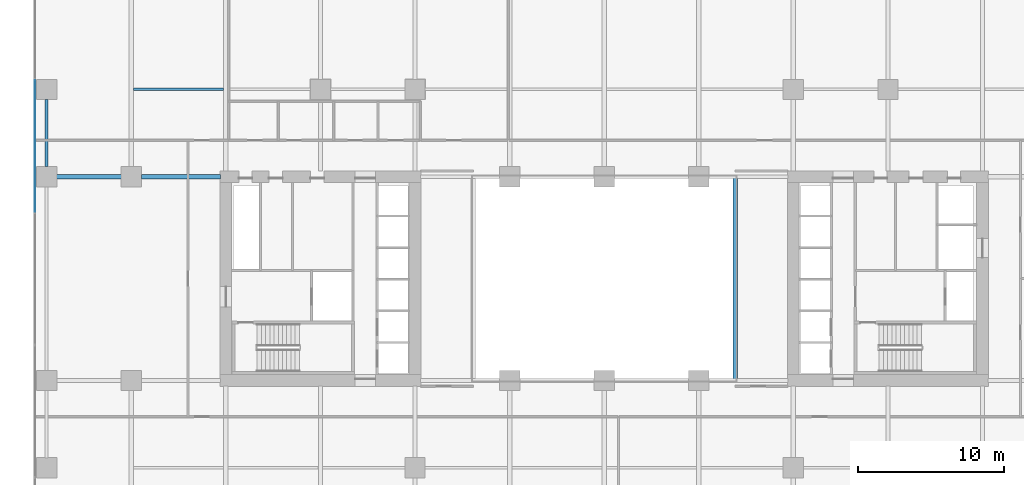
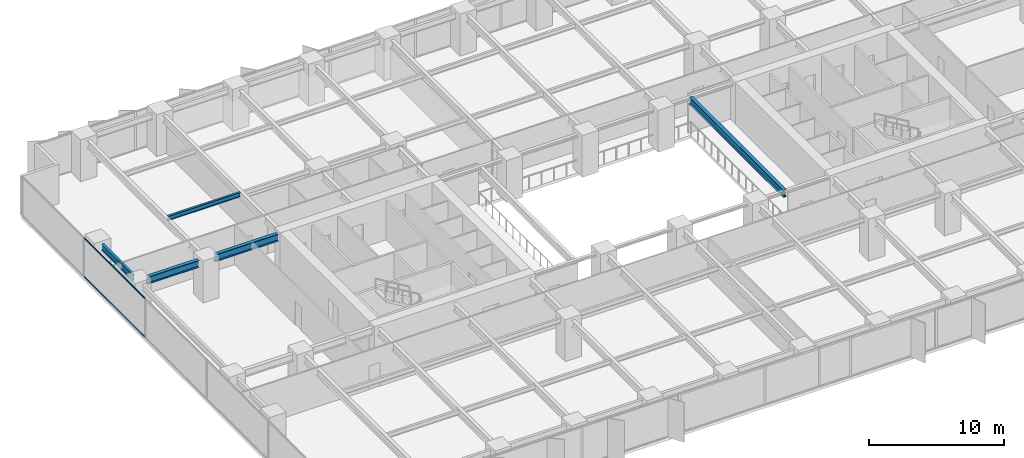
# One storey, part 6 of 20: 5 beams, 2 members, 1 element without a shape of its own.
"""IFC4 building model written with IfcOpenShell, lengths in metres."""

from ifc_helpers import new_model, si_unit, direction, frame, origin, origin_2d, place, context, subcontext, project, spatial, rectangle, i_section, extrude, material, layer, layer_set, material_profile, profile_set, type_object, element, aggregate, save


model = new_model("IFC4")

# Units and contexts
model_context = context("Model", 3, precision=1e-05, world=origin(), true_north=direction((0.0, 1.0)))
body_context = subcontext(model_context, "Body", "Model", "MODEL_VIEW")
ifc_project = project(units=[si_unit("LENGTHUNIT", "METRE"), si_unit("AREAUNIT", "SQUARE_METRE"), si_unit("VOLUMEUNIT", "CUBIC_METRE"), si_unit("PLANEANGLEUNIT", "RADIAN"), si_unit("MASSUNIT", "GRAM", prefix="KILO")], contexts=[model_context])

# Site, building, storey
site_placement = place(None, origin())
site = spatial("IfcSite", under=ifc_project, at=site_placement, CompositionType="ELEMENT")
building_placement = place(site_placement, origin())
building = spatial("IfcBuilding", under=site, at=building_placement, Name="Putna Gate Headquarters", CompositionType="ELEMENT")
storey_placement = place(building_placement, frame((0.0, 0.0, 27.800048828125)))
storey = spatial("IfcBuildingStorey", under=building, at=storey_placement, Name="L05", CompositionType="ELEMENT", Elevation=27.800048828125)

# Beams
ifc_material_1 = material(Name="Steel S355J2", Category="steel")
ifc_material_profile_1 = material_profile(ifc_material_1, i_section(OverallWidth=0.300048828125, OverallDepth=0.64990234375, WebThickness=0.01611328125, FlangeThickness=0.031005859375, at=origin_2d()), Name="Steel S355J2")
ifc_profile_set_1 = profile_set([ifc_material_profile_1], Name="Steel S355J2")
beam_type_1 = type_object("IfcBeamType", Name="BM-GIRD-Z1-HEB650", PredefinedType="USERDEFINED", material=ifc_profile_set_1)
beam_1_placement = place(storey_placement, frame((1.367919921875, 33.0, 3.224853515625), z_axis=(1.0, 0.0, 0.0), x_axis=(0.0, 1.0, 0.0)))
element("IfcBeam", 1, at=beam_1_placement, inside=storey, type_object=beam_type_1, Name="L05 West Wing Girder Y33-1", ObjectType="GIRDER", PredefinedType="USERDEFINED", context=body_context, shape_type="SweptSolid", body=[
    extrude(i_section(OverallWidth=0.300048828125, OverallDepth=0.64990234375, WebThickness=0.01611328125, FlangeThickness=0.031005859375, at=origin_2d()), origin(), (0.0, 0.0, 1.0), 4.444091796875),
])
beam_2_placement = place(storey_placement, frame((7.18798828125, 33.0, 3.224853515625), z_axis=(1.0, 0.0, 0.0), x_axis=(0.0, 1.0, 0.0)))
element("IfcBeam", 2, at=beam_2_placement, inside=storey, type_object=beam_type_1, Name="L05 West Wing Girder Y33-2", ObjectType="GIRDER", PredefinedType="USERDEFINED", context=body_context, shape_type="SweptSolid", body=[
    extrude(i_section(OverallWidth=0.300048828125, OverallDepth=0.64990234375, WebThickness=0.01611328125, FlangeThickness=0.031005859375, at=origin_2d()), origin(), (0.0, 0.0, 1.0), 5.427001953125),
])
beam_3_placement = place(storey_placement, frame((48.0, 19.010009765625, 3.224853515625), z_axis=(0.0, 1.0, 0.0), x_axis=(-1.0, 0.0, 0.0)))
element("IfcBeam", 3, at=beam_3_placement, inside=storey, type_object=beam_type_1, Name="L05 Atrium Trim Girder AE", ObjectType="GIRDER", PredefinedType="USERDEFINED", context=body_context, shape_type="SweptSolid", body=[
    extrude(i_section(OverallWidth=0.300048828125, OverallDepth=0.64990234375, WebThickness=0.01611328125, FlangeThickness=0.031005859375, at=origin_2d()), origin(), (0.0, 0.0, 1.0), 13.97998046875),
])
ifc_material_profile_2 = material_profile(ifc_material_1, i_section(OverallWidth=0.179931640625, OverallDepth=0.39990234375, WebThickness=0.008544921875, FlangeThickness=0.013427734375, at=origin_2d()), Name="Steel S355J2")
ifc_profile_set_2 = profile_set([ifc_material_profile_2], Name="Steel S355J2")
beam_type_2 = type_object("IfcBeamType", Name="BM-SEC-Z1-IPE400", PredefinedType="BEAM", material=ifc_profile_set_2)
beam_4_placement = place(storey_placement, frame((6.654052734375, 39.0, 3.349853515625), z_axis=(1.0, 0.0, 0.0), x_axis=(0.0, 1.0, 0.0)))
element("IfcBeam", 4, at=beam_4_placement, inside=storey, type_object=beam_type_2, Name="L05 North Secondary Beam 1", PredefinedType="BEAM", context=body_context, shape_type="SweptSolid", body=[
    extrude(i_section(OverallWidth=0.179931640625, OverallDepth=0.39990234375, WebThickness=0.008544921875, FlangeThickness=0.013427734375, at=origin_2d()), origin(), (0.0, 0.0, 1.0), 6.19189453125),
])
ifc_material_profile_3 = material_profile(ifc_material_1, i_section(OverallWidth=0.2099609375, OverallDepth=0.550048828125, WebThickness=0.010986328125, FlangeThickness=0.01708984375, at=origin_2d()), Name="Steel S355J2")
ifc_profile_set_3 = profile_set([ifc_material_profile_3], Name="Steel S355J2")
beam_type_3 = type_object("IfcBeamType", Name="BM-SPAN-Z1-IPE550", PredefinedType="SPANDREL", material=ifc_profile_set_3)
beam_5_placement = place(storey_placement, frame((0.679931640625, 33.68798828125, 3.27490234375), z_axis=(0.0, 1.0, 0.0), x_axis=(-1.0, 0.0, 0.0)))
element("IfcBeam", 5, at=beam_5_placement, inside=storey, type_object=beam_type_3, Name="L05 W End Spandrel 3", PredefinedType="SPANDREL", context=body_context, shape_type="SweptSolid", body=[
    extrude(i_section(OverallWidth=0.2099609375, OverallDepth=0.550048828125, WebThickness=0.010986328125, FlangeThickness=0.01708984375, at=origin_2d()), origin(), (0.0, 0.0, 1.0), 4.6240234375),
])

# Curtain wall, members
ifc_material_2 = material(Name="Anodised bronze aluminium curtain wall", Category="aluminium")
ifc_layer = layer(ifc_material_2, 0.179931640625)
ifc_layer_set = layer_set([ifc_layer], Name="Anodised bronze aluminium curtain wall")
curtain_wall_type = type_object("IfcCurtainWallType", Name="CW-SYS-Z1", PredefinedType="USERDEFINED", material=ifc_layer_set)
curtain_wall_placement = place(storey_placement, origin())
curtain_wall = element("IfcCurtainWall", 6, at=curtain_wall_placement, inside=storey, type_object=curtain_wall_type, Name="L05 West Curtain Wall", ObjectType="STICK CURTAIN WALL", PredefinedType="USERDEFINED")
ifc_material_3 = material(Name="Anodised bronze aluminium EN AW-6060", Category="aluminium")
ifc_material_profile_4 = material_profile(ifc_material_3, rectangle(XDim=0.06494140625, YDim=0.1201171875, at=origin_2d()), Name="Anodised bronze aluminium EN AW-6060")
ifc_profile_set_4 = profile_set([ifc_material_profile_4], Name="Anodised bronze aluminium EN AW-6060")
member_type = type_object("IfcMemberType", Name="TRAN-CWT-1", PredefinedType="USERDEFINED", material=ifc_profile_set_4)
member_1_placement = place(storey_placement, frame((-0.1201171875, 30.594970703125, 0.032470703125), z_axis=(0.0, 1.0, 0.0), x_axis=(-1.0, 0.0, 0.0)))
member_1 = element("IfcMember", 7, at=member_1_placement, type_object=member_type, Name="CWS-1 transom 4.1", ObjectType="TRANSOM", PredefinedType="USERDEFINED", context=body_context, shape_type="SweptSolid", body=[
    extrude(rectangle(XDim=0.06494140625, YDim=0.1201171875, at=origin_2d()), origin(), (0.0, 0.0, 1.0), 9.050048828125),
])
member_2_placement = place(storey_placement, frame((-0.1201171875, 30.594970703125, 3.517333984375), z_axis=(0.0, 1.0, 0.0), x_axis=(-1.0, 0.0, 0.0)))
member_2 = element("IfcMember", 8, at=member_2_placement, type_object=member_type, Name="CWS-1 transom 4.2", ObjectType="TRANSOM", PredefinedType="USERDEFINED", context=body_context, shape_type="SweptSolid", body=[
    extrude(rectangle(XDim=0.06494140625, YDim=0.1201171875, at=origin_2d()), origin(), (0.0, 0.0, 1.0), 9.050048828125),
])
aggregate(curtain_wall, [member_1, member_2])

save(model, "model.ifc")
